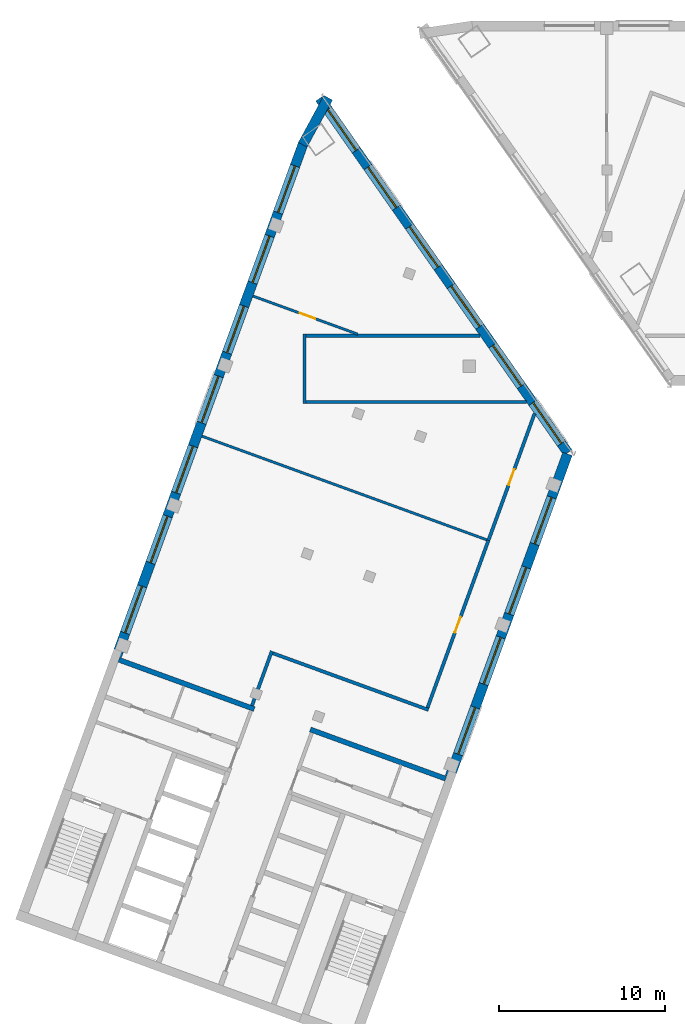
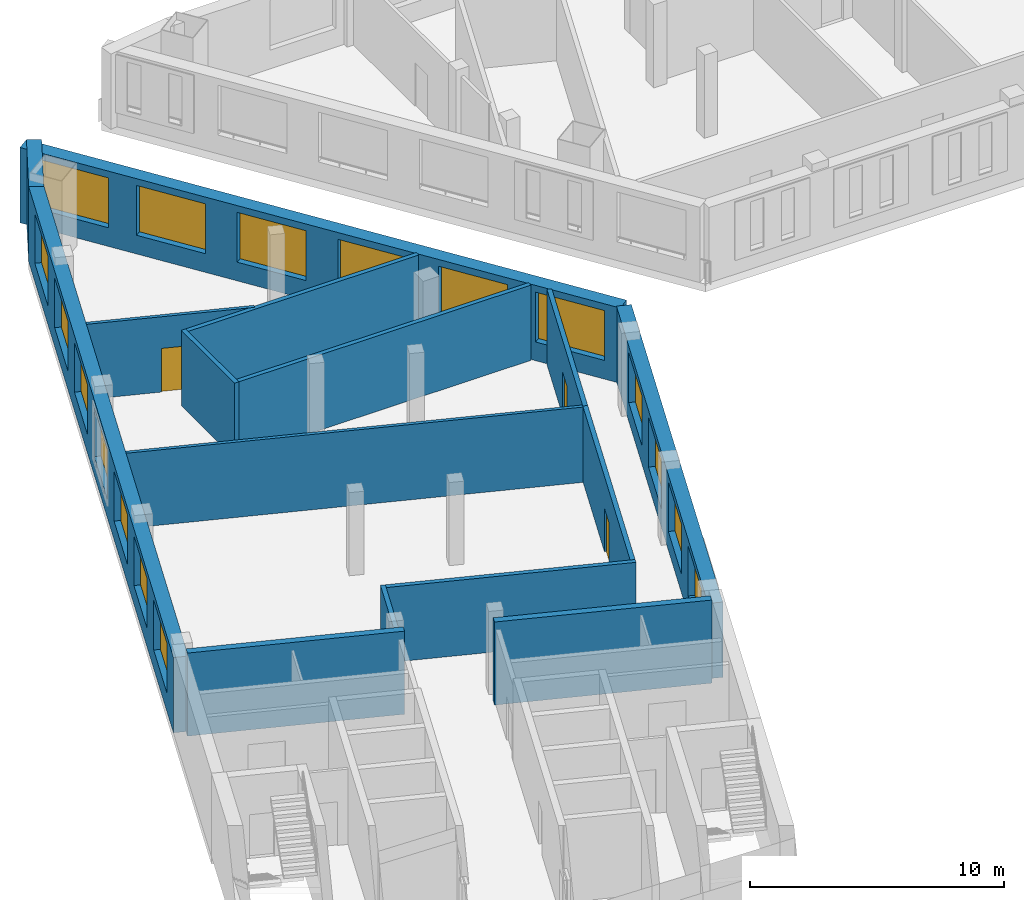
# One storey, part 3 of 8: 17 windows, 15 walls, 3 doors, 20 openings.
"""IFC4 building model written with IfcOpenShell, lengths in metres."""

import ifcopenshell
import ifcopenshell.guid

model = None  # the IFC model being written
_history = None  # IfcOwnerHistory: only IFC2X3 demands one
_inside = {}  # id of a spatial element -> (the spatial element, [elements in it])
_under = {}  # id of a project, library or spatial element -> (it, [spatial elements below it])
_declared = {}  # id of a project -> (the project, [libraries it declares])
_typed = {}  # id of a type object -> (the type object, [elements of that type])
_made_of = {}  # id of a material, layer set ... -> (it, [elements and type objects made of it])


def new_model(schema):
    """Start an empty IFC model of exactly this schema.

    Asked for "IFC4X3", IfcOpenShell would pick the latest addendum, in which some entities
    have other attributes; the version numbers below select the first issue.
    IFC2X3 requires an IfcOwnerHistory on every rooted entity: one is made here for all.
    """
    global model, _history
    if schema == "IFC4X3":
        model = ifcopenshell.file(schema_version=(4, 3, 0, 0))
    else:
        model = ifcopenshell.file(schema=schema)
    _inside.clear()
    _under.clear()
    _declared.clear()
    _typed.clear()
    _made_of.clear()
    _history = None
    if model.schema == "IFC2X3":
        org = make("IfcOrganization", Name="unknown")
        user = make(
            "IfcPersonAndOrganization",
            ThePerson=make("IfcPerson", FamilyName="unknown"),
            TheOrganization=org,
        )
        app = make(
            "IfcApplication",
            ApplicationDeveloper=org,
            Version="unknown",
            ApplicationFullName="unknown",
            ApplicationIdentifier="unknown",
        )
        _history = make(
            "IfcOwnerHistory",
            OwningUser=user,
            OwningApplication=app,
            ChangeAction="ADDED",
            CreationDate=0,
        )
    return model


def make(cls, **values):
    """One entity of the class cls with the attributes given. An attribute that is None is left unset."""
    return model.create_entity(
        cls, **{name: value for name, value in values.items() if value is not None}
    )


def rooted(cls, **values):
    """An entity with a GlobalId (a new one), such as an element, a storey or a relation."""
    return make(cls, GlobalId=ifcopenshell.guid.new(), OwnerHistory=_history, **values)


def si_unit(unit_type, name, prefix=None):
    """IfcSIUnit, for example si_unit("LENGTHUNIT", "METRE", prefix="MILLI")."""
    return make("IfcSIUnit", UnitType=unit_type, Prefix=prefix, Name=name)


def assignment(units):
    """IfcUnitAssignment: the units of a project."""
    return None if units is None else make("IfcUnitAssignment", Units=units)


def point(xyz):
    """IfcCartesianPoint."""
    return None if xyz is None else make("IfcCartesianPoint", Coordinates=xyz)


def direction(xyz):
    """IfcDirection."""
    return None if xyz is None else make("IfcDirection", DirectionRatios=xyz)


def frame(location, z_axis=None, x_axis=None):
    """IfcAxis2Placement3D, a coordinate frame: its origin and axes. An axis left out is left unset."""
    return make(
        "IfcAxis2Placement3D",
        Location=point(location),
        Axis=direction(z_axis),
        RefDirection=direction(x_axis),
    )


def frame_2d(location, x_axis=None):
    """IfcAxis2Placement2D, a coordinate frame in the plane: its origin and x axis."""
    return make(
        "IfcAxis2Placement2D", Location=point(location), RefDirection=direction(x_axis)
    )


def origin():
    """The frame at (0, 0, 0) with its axes left unset."""
    return frame((0.0, 0.0, 0.0))


def place(relative_to, where):
    """IfcLocalPlacement: puts the frame where relative to a parent placement (None: the world)."""
    return make(
        "IfcLocalPlacement", PlacementRelTo=relative_to, RelativePlacement=where
    )


def context(
    kind, dimensions, precision=None, world=None, true_north=None, identifier=None
):
    """IfcGeometricRepresentationContext, for example the 3D "Model" context."""
    return make(
        "IfcGeometricRepresentationContext",
        ContextIdentifier=identifier,
        ContextType=kind,
        CoordinateSpaceDimension=dimensions,
        Precision=precision,
        WorldCoordinateSystem=world,
        TrueNorth=true_north,
    )


def subcontext(parent, identifier, kind, view, scale=None):
    """IfcGeometricRepresentationSubContext, for example "Body" below "Model"."""
    return make(
        "IfcGeometricRepresentationSubContext",
        ContextIdentifier=identifier,
        ContextType=kind,
        ParentContext=parent,
        TargetScale=scale,
        TargetView=view,
    )


def project(units=None, contexts=None):
    """IfcProject with its units and contexts."""
    return rooted(
        "IfcProject",
        Name="project",
        RepresentationContexts=contexts,
        UnitsInContext=assignment(units),
    )


def spatial(cls, under=None, at=None, **own):
    """A site, building, storey or space (cls), placed at a placement, below another one or the project."""
    s = rooted(cls, ObjectPlacement=at, **own)
    if under is not None:
        _under.setdefault(under.id(), (under, []))[1].append(s)
    return s


def profile(cls, at=None, kind="AREA", **sizes):
    """A parametric profile (cls). Its sizes go by their IFC names, for example OverallWidth=200.0."""
    return make(cls, ProfileType=kind, Position=at, **sizes)


def rectangle(**sizes):
    """IfcRectangleProfileDef."""
    return profile("IfcRectangleProfileDef", **sizes)


def extrude(swept, where, along, depth):
    """IfcExtrudedAreaSolid: the profile swept, set in the frame where, extruded along a direction by depth."""
    return make(
        "IfcExtrudedAreaSolid",
        SweptArea=swept,
        Position=where,
        ExtrudedDirection=direction(along),
        Depth=depth,
    )


def shape(context_of_items, identifier, shape_type, items):
    """IfcShapeRepresentation: the items that make up one representation, for example the "Body"."""
    return make(
        "IfcShapeRepresentation",
        ContextOfItems=context_of_items,
        RepresentationIdentifier=identifier,
        RepresentationType=shape_type,
        Items=items,
    )


def material(Name=None, Category=None):
    """IfcMaterial."""
    return make("IfcMaterial", Name=Name, Category=Category)


def layer(
    of_material, thickness, ventilated=None, Name=None, Category=None, Priority=None
):
    """IfcMaterialLayer: one layer of a wall or slab, of a material (None: an air gap)."""
    return make(
        "IfcMaterialLayer",
        Material=of_material,
        LayerThickness=thickness,
        IsVentilated=ventilated,
        Name=Name,
        Category=Category,
        Priority=Priority,
    )


def layer_set(layers, Name=None):
    """IfcMaterialLayerSet."""
    return make("IfcMaterialLayerSet", MaterialLayers=layers, LayerSetName=Name)


def made_of(thing, what):
    """Note that an element or type object is made of a material, layer set ...; save() writes the relation."""
    if what is not None:
        _made_of.setdefault(what.id(), (what, []))[1].append(thing)
    return thing


def type_object(cls, material=None, **own):
    """A type object (cls), such as IfcWallType, which elements share."""
    return made_of(rooted(cls, **own), material)


def element(
    cls,
    number,
    at=None,
    inside=None,
    cuts=None,
    type_object=None,
    material=None,
    context=None,
    identifier="Body",
    shape_type=None,
    held_by="IfcProductDefinitionShape",
    body=None,
    shapes=None,
    **own,
):
    """One element of the class cls, such as IfcWall. Its Tag is "e" and its number.

    at: its placement. inside: the storey or other place that contains it. cuts: it is an
    opening in that element (IfcRelVoidsElement). A single representation is given by context,
    identifier, shape_type and body (its items); several are given by shapes. held_by: the class
    of the entity that holds the representations. save() writes the other relations.
    """
    e = rooted(cls, Tag="e%d" % number, ObjectPlacement=at, **own)
    if body is not None:
        shapes = [shape(context, identifier, shape_type, body)]
    if shapes is not None:
        e.Representation = make(held_by, Representations=shapes)
    if inside is not None:
        _inside.setdefault(inside.id(), (inside, []))[1].append(e)
    if cuts is not None:
        rooted(
            "IfcRelVoidsElement", RelatingBuildingElement=cuts, RelatedOpeningElement=e
        )
    if type_object is not None:
        _typed.setdefault(type_object.id(), (type_object, []))[1].append(e)
    return made_of(e, material)


def fill(opening, filler):
    """IfcRelFillsElement: the door or window that sits in an opening."""
    return rooted(
        "IfcRelFillsElement",
        RelatingOpeningElement=opening,
        RelatedBuildingElement=filler,
    )


def aggregate(whole, parts):
    """IfcRelAggregates: a whole, such as a stair, and the parts it consists of."""
    return rooted("IfcRelAggregates", RelatingObject=whole, RelatedObjects=parts)


def save(model, path):
    """Write the relations noted so far, then the file.

    IfcRelAggregates (storeys below a building ...), IfcRelContainedInSpatialStructure (elements
    in a storey), IfcRelDefinesByType, IfcRelAssociatesMaterial and IfcRelDeclares: one each for
    every whole, place, type object, material and project.
    """
    for whole, parts in _under.values():
        aggregate(whole, parts)
    for where, things in _inside.values():
        rooted(
            "IfcRelContainedInSpatialStructure",
            RelatedElements=things,
            RelatingStructure=where,
        )
    for kind, things in _typed.values():
        rooted("IfcRelDefinesByType", RelatedObjects=things, RelatingType=kind)
    for what, things in _made_of.values():
        rooted("IfcRelAssociatesMaterial", RelatedObjects=things, RelatingMaterial=what)
    for by, libraries in _declared.values():
        rooted("IfcRelDeclares", RelatingContext=by, RelatedDefinitions=libraries)
    model.write(path)


model = new_model("IFC4")

# Units and contexts
model_context = context("Model", 3, precision=1e-05, world=origin(), true_north=direction((0.0, 1.0)))
body_context = subcontext(model_context, "Body", "Model", "MODEL_VIEW")
ifc_project = project(units=[si_unit("LENGTHUNIT", "METRE"), si_unit("AREAUNIT", "SQUARE_METRE"), si_unit("VOLUMEUNIT", "CUBIC_METRE"), si_unit("PLANEANGLEUNIT", "RADIAN"), si_unit("MASSUNIT", "GRAM", prefix="KILO")], contexts=[model_context])

# Site, building, storey
site_placement = place(None, origin())
site = spatial("IfcSite", under=ifc_project, at=site_placement, CompositionType="ELEMENT")
building_placement = place(site_placement, origin())
building = spatial("IfcBuilding", under=site, at=building_placement, Name="Skarvind Civic Tower", CompositionType="ELEMENT")
storey_placement = place(building_placement, frame((0.0, 0.0, 216.0)))
storey = spatial("IfcBuildingStorey", under=building, at=storey_placement, Name="L51", CompositionType="ELEMENT", Elevation=216.0)

# Walls
ifc_material_1 = material(Name="Concrete C60", Category="concrete")
ifc_layer_1 = layer(ifc_material_1, 0.300048828125)
ifc_layer_set_1 = layer_set([ifc_layer_1], Name="Core wall 300 C60")
wall_type_1 = type_object("IfcWallType", Name="Core wall 300 C60", PredefinedType="SHEAR", material=ifc_layer_set_1)
wall_1_placement = place(storey_placement, frame((44.52880859375, 93.258056640625, 0.0), z_axis=(0.0, 0.0, 1.0), x_axis=(-0.9396917844, 0.342022441267, 0.0)))
element("IfcWall", 1, at=wall_1_placement, inside=storey, type_object=wall_type_1, Name="Core wall C2 south inner face L51", PredefinedType="SHEAR", context=body_context, shape_type="SweptSolid", body=[
    extrude(rectangle(XDim=8.699951171875, YDim=0.300048828125, at=frame_2d((4.35009765625, 0.0))), origin(), (0.0, 0.0, 1.0), 4.0),
])
wall_2_placement = place(storey_placement, frame((32.970703125, 97.46484375, 0.0), z_axis=(0.0, 0.0, 1.0), x_axis=(-0.939695066972, 0.34201342241, 0.0)))
element("IfcWall", 2, at=wall_2_placement, inside=storey, type_object=wall_type_1, Name="Core wall C2 north inner face L51", PredefinedType="SHEAR", context=body_context, shape_type="SweptSolid", body=[
    extrude(rectangle(XDim=8.7001953125, YDim=0.300048828125, at=frame_2d((4.35009765625, 0.0))), origin(), (0.0, 0.0, 1.0), 4.0),
])
ifc_material_2 = material(Name="Fire-rated blockwork wall, plastered", Category="masonry")
ifc_layer_2 = layer(ifc_material_2, 0.199951171875)
ifc_layer_set_2 = layer_set([ifc_layer_2], Name="FIRE WALL 200 EI 60")
wall_type_2 = type_object("IfcWallType", Name="FIRE WALL 200 EI 60", PredefinedType="PARTITIONING", material=ifc_layer_set_2)
wall_3_placement = place(storey_placement, frame((32.833984375, 97.674072265625, 0.0), z_axis=(0.0, 0.0, 1.0), x_axis=(0.342017493073, 0.939693585395, 0.0)))
element("IfcWall", 3, at=wall_3_placement, inside=storey, type_object=wall_type_2, Name="Portal partition L51 002", PredefinedType="PARTITIONING", context=body_context, shape_type="SweptSolid", body=[
    extrude(rectangle(XDim=3.5, YDim=0.199951171875, at=frame_2d((1.75, 0.0))), origin(), (0.0, 0.0, 1.0), 3.625),
])
wall_4_placement = place(storey_placement, frame((34.091064453125, 100.8349609375, 0.0), z_axis=(0.0, 0.0, 1.0), x_axis=(0.939702148643, -0.341993964619, 0.0)))
element("IfcWall", 4, at=wall_4_placement, inside=storey, type_object=wall_type_2, Name="Portal partition L51 004", PredefinedType="PARTITIONING", context=body_context, shape_type="SweptSolid", body=[
    extrude(rectangle(XDim=10.0, YDim=0.199951171875, at=frame_2d((5.0, 0.0))), origin(), (0.0, 0.0, 1.0), 3.625),
])
wall_5_placement = place(storey_placement, frame((36.0, 115.89990234375, 0.0), z_axis=(0.0, 0.0, 1.0), x_axis=(0.0, 1.0, 0.0)))
element("IfcWall", 5, at=wall_5_placement, inside=storey, type_object=wall_type_2, Name="Portal partition L51 005", PredefinedType="PARTITIONING", context=body_context, shape_type="SweptSolid", body=[
    extrude(rectangle(XDim=4.2001953125, YDim=0.199951171875, at=frame_2d((2.10009765625, 0.0))), origin(), (0.0, 0.0, 1.0), 3.625),
])
wall_6_placement = place(storey_placement, frame((36.10009765625, 116.0, 0.0), z_axis=(0.0, 0.0, 1.0), x_axis=(1.0, 0.0, 0.0)))
element("IfcWall", 6, at=wall_6_placement, inside=storey, type_object=wall_type_2, Name="Portal partition L51 006", PredefinedType="PARTITIONING", context=body_context, shape_type="SweptSolid", body=[
    extrude(rectangle(XDim=13.296875, YDim=0.199951171875, at=frame_2d((6.6484375, 0.0))), origin(), (0.0, 0.0, 1.0), 3.625),
])
wall_7_placement = place(storey_placement, frame((36.10009765625, 120.0, 0.0), z_axis=(0.0, 0.0, 1.0), x_axis=(1.0, 0.0, 0.0)))
element("IfcWall", 7, at=wall_7_placement, inside=storey, type_object=wall_type_2, Name="Portal partition L51 007", PredefinedType="PARTITIONING", context=body_context, shape_type="SweptSolid", body=[
    extrude(rectangle(XDim=10.495849609375, YDim=0.199951171875, at=frame_2d((5.248046875, 0.0))), origin(), (0.0, 0.0, 1.0), 3.625),
])

# Wall, opening, door
wall_8_placement = place(storey_placement, frame((43.427978515625, 97.54296875, 0.0), z_axis=(0.0, 0.0, 1.0), x_axis=(0.342032970316, 0.939687952044, 0.0)))
wall_8 = element("IfcWall", 8, at=wall_8_placement, inside=storey, type_object=wall_type_2, Name="Portal partition L51 008", PredefinedType="PARTITIONING", context=body_context, shape_type="SweptSolid", body=[
    extrude(rectangle(XDim=10.75048828125, YDim=0.199951171875, at=frame_2d((5.375244140625, 0.0))), origin(), (0.0, 0.0, 1.0), 3.625),
])
opening_1_placement = place(wall_8_placement, frame((4.826904296875, 0.0, 0.0)))
opening_1 = element("IfcOpeningElement", 9, at=opening_1_placement, cuts=wall_8, Name="Opening L51-D202", PredefinedType="OPENING", context=body_context, shape_type="SweptSolid", body=[
    extrude(rectangle(XDim=1.0, YDim=2.10009765625, at=frame_2d((0.5, 1.050048828125))), frame((0.0, 0.10986328125, 0.0), z_axis=(0.0, -1.0, 0.0), x_axis=(1.0, 0.0, 0.0)), (0.0, 0.0, 1.0), 0.219970703125),
])
ifc_material_3 = material(Name="Painted steel fire door leaf", Category="steel")
door_type_1 = type_object("IfcDoorType", Name="FIRE DOOR 1000X2100 STEEL", OperationType="NOTDEFINED", PredefinedType="DOOR", material=ifc_material_3)
door_1_placement = place(opening_1_placement, origin())
door_1 = element("IfcDoor", 10, at=door_1_placement, inside=storey, type_object=door_type_1, Name="FIRE DOOR", OperationType="SINGLE_SWING_RIGHT", OverallHeight=2.10009765625, OverallWidth=1.0, PredefinedType="DOOR", context=body_context, shape_type="SweptSolid", body=[
    extrude(rectangle(XDim=1.0, YDim=2.10009765625, at=frame_2d((0.5, 1.050048828125))), frame((0.0, 0.02490234375, 0.0), z_axis=(0.0, -1.0, 0.0), x_axis=(1.0, 0.0, 0.0)), (0.0, 0.0, 1.0), 0.050048828125),
])
fill(opening_1, door_1)

wall_9_placement = place(storey_placement, frame((47.10498046875, 107.64501953125, 0.0), z_axis=(0.0, 0.0, 1.0), x_axis=(0.342043994394, 0.939683939364, 0.0)))
wall_9 = element("IfcWall", 11, at=wall_9_placement, inside=storey, type_object=wall_type_2, Name="Portal partition L51 009", PredefinedType="PARTITIONING", context=body_context, shape_type="SweptSolid", body=[
    extrude(rectangle(XDim=8.14208984375, YDim=0.199951171875, at=frame_2d((4.071044921875, 0.0))), origin(), (0.0, 0.0, 1.0), 3.625),
])
opening_2_placement = place(wall_9_placement, frame((3.569091796875, 0.0, 0.0)))
opening_2 = element("IfcOpeningElement", 12, at=opening_2_placement, cuts=wall_9, Name="Opening L51-D203", PredefinedType="OPENING", context=body_context, shape_type="SweptSolid", body=[
    extrude(rectangle(XDim=1.0, YDim=2.10009765625, at=frame_2d((0.5, 1.050048828125))), frame((0.0, 0.10986328125, 0.0), z_axis=(0.0, -1.0, 0.0), x_axis=(1.0, 0.0, 0.0)), (0.0, 0.0, 1.0), 0.219970703125),
])
door_2_placement = place(opening_2_placement, origin())
door_2 = element("IfcDoor", 13, at=door_2_placement, inside=storey, type_object=door_type_1, Name="FIRE DOOR", OperationType="SINGLE_SWING_LEFT", OverallHeight=2.10009765625, OverallWidth=1.0, PredefinedType="DOOR", context=body_context, shape_type="SweptSolid", body=[
    extrude(rectangle(XDim=1.0, YDim=2.10009765625, at=frame_2d((0.5, 1.050048828125))), frame((0.0, 0.02490234375, 0.0), z_axis=(0.0, -1.0, 0.0), x_axis=(1.0, 0.0, 0.0)), (0.0, 0.0, 1.0), 0.050048828125),
])
fill(opening_2, door_2)

# Wall
ifc_material_4 = material(Name="Plasterboard partition on steel studs", Category="steel")
ifc_layer_3 = layer(ifc_material_4, 0.14990234375)
ifc_layer_set_3 = layer_set([ifc_layer_3], Name="PARTITION 150")
wall_type_3 = type_object("IfcWallType", Name="PARTITION 150", PredefinedType="PARTITIONING", material=ifc_layer_set_3)
wall_10_placement = place(storey_placement, frame((29.81396484375, 113.93798828125, 0.0), z_axis=(0.0, 0.0, 1.0), x_axis=(0.939695619185, -0.342011905181, 0.0)))
element("IfcWall", 14, at=wall_10_placement, inside=storey, type_object=wall_type_3, Name="Portal partition L51 001", PredefinedType="PARTITIONING", context=body_context, shape_type="SweptSolid", body=[
    extrude(rectangle(XDim=18.300537109375, YDim=0.14990234375, at=frame_2d((9.150390625, 0.0))), origin(), (0.0, 0.0, 1.0), 3.625),
])

# Wall, opening, door
wall_11_placement = place(storey_placement, frame((39.222900390625, 120.091064453125, 0.0), z_axis=(0.0, 0.0, 1.0), x_axis=(-0.939705573142, 0.341984554924, 0.0)))
wall_11 = element("IfcWall", 15, at=wall_11_placement, inside=storey, type_object=wall_type_3, Name="Portal partition L51 003", PredefinedType="PARTITIONING", context=body_context, shape_type="SweptSolid", body=[
    extrude(rectangle(XDim=6.737060546875, YDim=0.14990234375, at=frame_2d((3.36865234375, 0.0))), origin(), (0.0, 0.0, 1.0), 3.625),
])
opening_3_placement = place(wall_11_placement, frame((2.735107421875, 0.0, 0.0)))
opening_3 = element("IfcOpeningElement", 16, at=opening_3_placement, cuts=wall_11, Name="Opening L51-D201", PredefinedType="OPENING", context=body_context, shape_type="SweptSolid", body=[
    extrude(rectangle(XDim=1.0, YDim=2.10009765625, at=frame_2d((0.5, 1.050048828125))), frame((0.0, 0.0849609375, 0.0), z_axis=(0.0, -1.0, 0.0), x_axis=(1.0, 0.0, 0.0)), (0.0, 0.0, 1.0), 0.169921875),
])
ifc_material_5 = material(Name="Timber veneer door leaf", Category="wood")
door_type_2 = type_object("IfcDoorType", Name="DOOR 1000X2100 TIMBER", OperationType="NOTDEFINED", PredefinedType="DOOR", material=ifc_material_5)
door_3_placement = place(opening_3_placement, origin())
door_3 = element("IfcDoor", 17, at=door_3_placement, inside=storey, type_object=door_type_2, Name="DOOR DOOR", OperationType="SINGLE_SWING_RIGHT", OverallHeight=2.10009765625, OverallWidth=1.0, PredefinedType="DOOR", context=body_context, shape_type="SweptSolid", body=[
    extrude(rectangle(XDim=1.0, YDim=2.10009765625, at=frame_2d((0.5, 1.050048828125))), frame((0.0, 0.02490234375, 0.0), z_axis=(0.0, -1.0, 0.0), x_axis=(1.0, 0.0, 0.0)), (0.0, 0.0, 1.0), 0.050048828125),
])
fill(opening_3, door_3)

# Wall, openings, windows
ifc_material_6 = material(Name="Limestone masonry cladding on insulated backing", Category="masonry")
ifc_layer_4 = layer(ifc_material_6, 0.60009765625)
ifc_layer_set_4 = layer_set([ifc_layer_4], Name="WX1 STONE FACADE WALL 600")
wall_type_4 = type_object("IfcWallType", Name="WX1 STONE FACADE WALL 600", PredefinedType="SOLIDWALL", material=ifc_layer_set_4)
wall_12_placement = place(storey_placement, frame((51.876953125, 112.862060546875, 0.0), z_axis=(0.0, 0.0, 1.0), x_axis=(-0.342020589714, -0.939692458314, 0.0)))
wall_12 = element("IfcWall", 18, at=wall_12_placement, inside=storey, type_object=wall_type_4, Name="STONE FACADE WALL", PredefinedType="SOLIDWALL", context=body_context, shape_type="SweptSolid", body=[
    extrude(rectangle(XDim=20.764892578125, YDim=0.60009765625, at=frame_2d((10.38232421875, 0.0))), origin(), (0.0, 0.0, 1.0), 3.625),
])
opening_4_placement = place(wall_12_placement, frame((2.784912109375, 0.0, 0.89990234375)))
opening_4 = element("IfcOpeningElement", 19, at=opening_4_placement, cuts=wall_12, Name="Opening WN1", PredefinedType="OPENING", context=body_context, shape_type="SweptSolid", body=[
    extrude(rectangle(XDim=3.0, YDim=2.39990234375, at=frame_2d((1.5, 1.199951171875))), frame((0.0, 0.31005859375, 0.0), z_axis=(0.0, -1.0, 0.0), x_axis=(1.0, 0.0, 0.0)), (0.0, 0.0, 1.0), 0.6201171875),
])
opening_5_placement = place(wall_12_placement, frame((7.284912109375, 0.0, 0.89990234375)))
opening_5 = element("IfcOpeningElement", 20, at=opening_5_placement, cuts=wall_12, Name="Opening WN1", PredefinedType="OPENING", context=body_context, shape_type="SweptSolid", body=[
    extrude(rectangle(XDim=3.0, YDim=2.39990234375, at=frame_2d((1.5, 1.199951171875))), frame((0.0, 0.31005859375, 0.0), z_axis=(0.0, -1.0, 0.0), x_axis=(1.0, 0.0, 0.0)), (0.0, 0.0, 1.0), 0.6201171875),
])
opening_6_placement = place(wall_12_placement, frame((11.784912109375, 0.0, 0.89990234375)))
opening_6 = element("IfcOpeningElement", 21, at=opening_6_placement, cuts=wall_12, Name="Opening WN1", PredefinedType="OPENING", context=body_context, shape_type="SweptSolid", body=[
    extrude(rectangle(XDim=3.0, YDim=2.39990234375, at=frame_2d((1.5, 1.199951171875))), frame((0.0, 0.31005859375, 0.0), z_axis=(0.0, -1.0, 0.0), x_axis=(1.0, 0.0, 0.0)), (0.0, 0.0, 1.0), 0.6201171875),
])
opening_7_placement = place(wall_12_placement, frame((16.284912109375, 0.0, 0.89990234375)))
opening_7 = element("IfcOpeningElement", 22, at=opening_7_placement, cuts=wall_12, Name="Opening WN1", PredefinedType="OPENING", context=body_context, shape_type="SweptSolid", body=[
    extrude(rectangle(XDim=3.0, YDim=2.39990234375, at=frame_2d((1.5, 1.199951171875))), frame((0.0, 0.31005859375, 0.0), z_axis=(0.0, -1.0, 0.0), x_axis=(1.0, 0.0, 0.0)), (0.0, 0.0, 1.0), 0.6201171875),
])
ifc_material_7 = material(Name="Timber frame, double glazing, timber-lined reveal", Category="wood")
window_type = type_object("IfcWindowType", Name="WN1 PUNCHED STONE WINDOW 3000 x 2400", PartitioningType="SINGLE_PANEL", PredefinedType="WINDOW", material=ifc_material_7)
window_1_placement = place(opening_4_placement, origin())
window_1 = element("IfcWindow", 23, at=window_1_placement, inside=storey, type_object=window_type, Name="WN1 WINDOW", OverallHeight=2.39990234375, OverallWidth=3.0, PartitioningType="SINGLE_PANEL", PredefinedType="WINDOW", context=body_context, shape_type="SweptSolid", body=[
    extrude(rectangle(XDim=3.0, YDim=2.39990234375, at=frame_2d((1.5, 1.199951171875))), frame((0.0, 0.030029296875, 0.0), z_axis=(0.0, -1.0, 0.0), x_axis=(1.0, 0.0, 0.0)), (0.0, 0.0, 1.0), 0.06005859375),
])
fill(opening_4, window_1)
window_2_placement = place(opening_5_placement, origin())
window_2 = element("IfcWindow", 24, at=window_2_placement, inside=storey, type_object=window_type, Name="WN1 WINDOW", OverallHeight=2.39990234375, OverallWidth=3.0, PartitioningType="SINGLE_PANEL", PredefinedType="WINDOW", context=body_context, shape_type="SweptSolid", body=[
    extrude(rectangle(XDim=3.0, YDim=2.39990234375, at=frame_2d((1.5, 1.199951171875))), frame((0.0, 0.030029296875, 0.0), z_axis=(0.0, -1.0, 0.0), x_axis=(1.0, 0.0, 0.0)), (0.0, 0.0, 1.0), 0.06005859375),
])
fill(opening_5, window_2)
window_3_placement = place(opening_6_placement, origin())
window_3 = element("IfcWindow", 25, at=window_3_placement, inside=storey, type_object=window_type, Name="WN1 WINDOW", OverallHeight=2.39990234375, OverallWidth=3.0, PartitioningType="SINGLE_PANEL", PredefinedType="WINDOW", context=body_context, shape_type="SweptSolid", body=[
    extrude(rectangle(XDim=3.0, YDim=2.39990234375, at=frame_2d((1.5, 1.199951171875))), frame((0.0, 0.030029296875, 0.0), z_axis=(0.0, -1.0, 0.0), x_axis=(1.0, 0.0, 0.0)), (0.0, 0.0, 1.0), 0.06005859375),
])
fill(opening_6, window_3)
window_4_placement = place(opening_7_placement, origin())
window_4 = element("IfcWindow", 26, at=window_4_placement, inside=storey, type_object=window_type, Name="WN1 WINDOW", OverallHeight=2.39990234375, OverallWidth=3.0, PartitioningType="SINGLE_PANEL", PredefinedType="WINDOW", context=body_context, shape_type="SweptSolid", body=[
    extrude(rectangle(XDim=3.0, YDim=2.39990234375, at=frame_2d((1.5, 1.199951171875))), frame((0.0, 0.030029296875, 0.0), z_axis=(0.0, -1.0, 0.0), x_axis=(1.0, 0.0, 0.0)), (0.0, 0.0, 1.0), 0.06005859375),
])
fill(opening_7, window_4)

wall_13_placement = place(storey_placement, frame((36.923095703125, 134.338134765625, 0.0), z_axis=(0.0, 0.0, 1.0), x_axis=(0.573575266068, -0.819152863729, 0.0)))
wall_13 = element("IfcWall", 27, at=wall_13_placement, inside=storey, type_object=wall_type_4, Name="STONE FACADE WALL", PredefinedType="SOLIDWALL", context=body_context, shape_type="SweptSolid", body=[
    extrude(rectangle(XDim=26.1171875, YDim=0.60009765625, at=frame_2d((13.05859375, 0.0))), origin(), (0.0, 0.0, 1.0), 3.625),
])
opening_8_placement = place(wall_13_placement, frame((0.83984375, 0.0, 0.89990234375)))
opening_8 = element("IfcOpeningElement", 28, at=opening_8_placement, cuts=wall_13, Name="Opening WN1", PredefinedType="OPENING", context=body_context, shape_type="SweptSolid", body=[
    extrude(rectangle(XDim=3.0, YDim=2.39990234375, at=frame_2d((1.5, 1.199951171875))), frame((0.0, 0.31005859375, 0.0), z_axis=(0.0, -1.0, 0.0), x_axis=(1.0, 0.0, 0.0)), (0.0, 0.0, 1.0), 0.6201171875),
])
opening_9_placement = place(wall_13_placement, frame((5.0693359375, 0.0, 0.89990234375)))
opening_9 = element("IfcOpeningElement", 29, at=opening_9_placement, cuts=wall_13, Name="Opening WN1", PredefinedType="OPENING", context=body_context, shape_type="SweptSolid", body=[
    extrude(rectangle(XDim=3.0, YDim=2.39990234375, at=frame_2d((1.5, 1.199951171875))), frame((0.0, 0.31005859375, 0.0), z_axis=(0.0, -1.0, 0.0), x_axis=(1.0, 0.0, 0.0)), (0.0, 0.0, 1.0), 0.6201171875),
])
opening_10_placement = place(wall_13_placement, frame((9.448974609375, 0.0, 0.89990234375)))
opening_10 = element("IfcOpeningElement", 30, at=opening_10_placement, cuts=wall_13, Name="Opening WN1", PredefinedType="OPENING", context=body_context, shape_type="SweptSolid", body=[
    extrude(rectangle(XDim=3.0, YDim=2.39990234375, at=frame_2d((1.5, 1.199951171875))), frame((0.0, 0.31005859375, 0.0), z_axis=(0.0, -1.0, 0.0), x_axis=(1.0, 0.0, 0.0)), (0.0, 0.0, 1.0), 0.6201171875),
])
opening_11_placement = place(wall_13_placement, frame((13.82861328125, 0.0, 0.89990234375)))
opening_11 = element("IfcOpeningElement", 31, at=opening_11_placement, cuts=wall_13, Name="Opening WN1", PredefinedType="OPENING", context=body_context, shape_type="SweptSolid", body=[
    extrude(rectangle(XDim=3.0, YDim=2.39990234375, at=frame_2d((1.5, 1.199951171875))), frame((0.0, 0.31005859375, 0.0), z_axis=(0.0, -1.0, 0.0), x_axis=(1.0, 0.0, 0.0)), (0.0, 0.0, 1.0), 0.6201171875),
])
opening_12_placement = place(wall_13_placement, frame((18.2080078125, 0.0, 0.89990234375)))
opening_12 = element("IfcOpeningElement", 32, at=opening_12_placement, cuts=wall_13, Name="Opening WN1", PredefinedType="OPENING", context=body_context, shape_type="SweptSolid", body=[
    extrude(rectangle(XDim=3.0, YDim=2.39990234375, at=frame_2d((1.5, 1.199951171875))), frame((0.0, 0.31005859375, 0.0), z_axis=(0.0, -1.0, 0.0), x_axis=(1.0, 0.0, 0.0)), (0.0, 0.0, 1.0), 0.6201171875),
])
opening_13_placement = place(wall_13_placement, frame((22.4375, 0.0, 0.89990234375)))
opening_13 = element("IfcOpeningElement", 33, at=opening_13_placement, cuts=wall_13, Name="Opening WN1", PredefinedType="OPENING", context=body_context, shape_type="SweptSolid", body=[
    extrude(rectangle(XDim=3.0, YDim=2.39990234375, at=frame_2d((1.5, 1.199951171875))), frame((0.0, 0.31005859375, 0.0), z_axis=(0.0, -1.0, 0.0), x_axis=(1.0, 0.0, 0.0)), (0.0, 0.0, 1.0), 0.6201171875),
])
window_5_placement = place(opening_8_placement, origin())
window_5 = element("IfcWindow", 34, at=window_5_placement, inside=storey, type_object=window_type, Name="WN1 WINDOW", OverallHeight=2.39990234375, OverallWidth=3.0, PartitioningType="SINGLE_PANEL", PredefinedType="WINDOW", context=body_context, shape_type="SweptSolid", body=[
    extrude(rectangle(XDim=3.0, YDim=2.39990234375, at=frame_2d((1.5, 1.199951171875))), frame((0.0, 0.030029296875, 0.0), z_axis=(0.0, -1.0, 0.0), x_axis=(1.0, 0.0, 0.0)), (0.0, 0.0, 1.0), 0.06005859375),
])
fill(opening_8, window_5)
window_6_placement = place(opening_9_placement, origin())
window_6 = element("IfcWindow", 35, at=window_6_placement, inside=storey, type_object=window_type, Name="WN1 WINDOW", OverallHeight=2.39990234375, OverallWidth=3.0, PartitioningType="SINGLE_PANEL", PredefinedType="WINDOW", context=body_context, shape_type="SweptSolid", body=[
    extrude(rectangle(XDim=3.0, YDim=2.39990234375, at=frame_2d((1.5, 1.199951171875))), frame((0.0, 0.030029296875, 0.0), z_axis=(0.0, -1.0, 0.0), x_axis=(1.0, 0.0, 0.0)), (0.0, 0.0, 1.0), 0.06005859375),
])
fill(opening_9, window_6)
window_7_placement = place(opening_10_placement, origin())
window_7 = element("IfcWindow", 36, at=window_7_placement, inside=storey, type_object=window_type, Name="WN1 WINDOW", OverallHeight=2.39990234375, OverallWidth=3.0, PartitioningType="SINGLE_PANEL", PredefinedType="WINDOW", context=body_context, shape_type="SweptSolid", body=[
    extrude(rectangle(XDim=3.0, YDim=2.39990234375, at=frame_2d((1.5, 1.199951171875))), frame((0.0, 0.030029296875, 0.0), z_axis=(0.0, -1.0, 0.0), x_axis=(1.0, 0.0, 0.0)), (0.0, 0.0, 1.0), 0.06005859375),
])
fill(opening_10, window_7)
window_8_placement = place(opening_11_placement, origin())
window_8 = element("IfcWindow", 37, at=window_8_placement, inside=storey, type_object=window_type, Name="WN1 WINDOW", OverallHeight=2.39990234375, OverallWidth=3.0, PartitioningType="SINGLE_PANEL", PredefinedType="WINDOW", context=body_context, shape_type="SweptSolid", body=[
    extrude(rectangle(XDim=3.0, YDim=2.39990234375, at=frame_2d((1.5, 1.199951171875))), frame((0.0, 0.030029296875, 0.0), z_axis=(0.0, -1.0, 0.0), x_axis=(1.0, 0.0, 0.0)), (0.0, 0.0, 1.0), 0.06005859375),
])
fill(opening_11, window_8)
window_9_placement = place(opening_12_placement, origin())
window_9 = element("IfcWindow", 38, at=window_9_placement, inside=storey, type_object=window_type, Name="WN1 WINDOW", OverallHeight=2.39990234375, OverallWidth=3.0, PartitioningType="SINGLE_PANEL", PredefinedType="WINDOW", context=body_context, shape_type="SweptSolid", body=[
    extrude(rectangle(XDim=3.0, YDim=2.39990234375, at=frame_2d((1.5, 1.199951171875))), frame((0.0, 0.030029296875, 0.0), z_axis=(0.0, -1.0, 0.0), x_axis=(1.0, 0.0, 0.0)), (0.0, 0.0, 1.0), 0.06005859375),
])
fill(opening_12, window_9)
window_10_placement = place(opening_13_placement, origin())
window_10 = element("IfcWindow", 39, at=window_10_placement, inside=storey, type_object=window_type, Name="WN1 WINDOW", OverallHeight=2.39990234375, OverallWidth=3.0, PartitioningType="SINGLE_PANEL", PredefinedType="WINDOW", context=body_context, shape_type="SweptSolid", body=[
    extrude(rectangle(XDim=3.0, YDim=2.39990234375, at=frame_2d((1.5, 1.199951171875))), frame((0.0, 0.030029296875, 0.0), z_axis=(0.0, -1.0, 0.0), x_axis=(1.0, 0.0, 0.0)), (0.0, 0.0, 1.0), 0.06005859375),
])
fill(opening_13, window_10)

# Wall
wall_14_placement = place(storey_placement, frame((35.89453125, 131.529541015625, 0.0), z_axis=(0.0, 0.0, 1.0), x_axis=(0.476529237666, 0.879158623713, 0.0)))
element("IfcWall", 40, at=wall_14_placement, inside=storey, type_object=wall_type_4, Name="STONE FACADE WALL", PredefinedType="SOLIDWALL", context=body_context, shape_type="SweptSolid", body=[
    extrude(rectangle(XDim=3.227783203125, YDim=0.60009765625, at=frame_2d((1.61376953125, 0.0))), origin(), (0.0, 0.0, 1.0), 3.625),
])

# Wall, openings, windows
wall_15_placement = place(storey_placement, frame((24.66552734375, 100.668701171875, 0.0), z_axis=(0.0, 0.0, 1.0), x_axis=(0.34201964167, 0.939692803373, 0.0)))
wall_15 = element("IfcWall", 41, at=wall_15_placement, inside=storey, type_object=wall_type_4, Name="STONE FACADE WALL", PredefinedType="SOLIDWALL", context=body_context, shape_type="SweptSolid", body=[
    extrude(rectangle(XDim=32.88427734375, YDim=0.60009765625, at=frame_2d((16.442138671875, 0.0))), origin(), (0.0, 0.0, 1.0), 3.625),
])
opening_14_placement = place(wall_15_placement, frame((1.47998046875, 0.0, 0.89990234375)))
opening_14 = element("IfcOpeningElement", 42, at=opening_14_placement, cuts=wall_15, Name="Opening WN1", PredefinedType="OPENING", context=body_context, shape_type="SweptSolid", body=[
    extrude(rectangle(XDim=3.0, YDim=2.39990234375, at=frame_2d((1.5, 1.199951171875))), frame((0.0, 0.31005859375, 0.0), z_axis=(0.0, -1.0, 0.0), x_axis=(1.0, 0.0, 0.0)), (0.0, 0.0, 1.0), 0.6201171875),
])
opening_15_placement = place(wall_15_placement, frame((5.97998046875, 0.0, 0.89990234375)))
opening_15 = element("IfcOpeningElement", 43, at=opening_15_placement, cuts=wall_15, Name="Opening WN1", PredefinedType="OPENING", context=body_context, shape_type="SweptSolid", body=[
    extrude(rectangle(XDim=3.0, YDim=2.39990234375, at=frame_2d((1.5, 1.199951171875))), frame((0.0, 0.31005859375, 0.0), z_axis=(0.0, -1.0, 0.0), x_axis=(1.0, 0.0, 0.0)), (0.0, 0.0, 1.0), 0.6201171875),
])
opening_16_placement = place(wall_15_placement, frame((10.47998046875, 0.0, 0.89990234375)))
opening_16 = element("IfcOpeningElement", 44, at=opening_16_placement, cuts=wall_15, Name="Opening WN1", PredefinedType="OPENING", context=body_context, shape_type="SweptSolid", body=[
    extrude(rectangle(XDim=3.0, YDim=2.39990234375, at=frame_2d((1.5, 1.199951171875))), frame((0.0, 0.31005859375, 0.0), z_axis=(0.0, -1.0, 0.0), x_axis=(1.0, 0.0, 0.0)), (0.0, 0.0, 1.0), 0.6201171875),
])
opening_17_placement = place(wall_15_placement, frame((14.97998046875, 0.0, 0.89990234375)))
opening_17 = element("IfcOpeningElement", 45, at=opening_17_placement, cuts=wall_15, Name="Opening WN1", PredefinedType="OPENING", context=body_context, shape_type="SweptSolid", body=[
    extrude(rectangle(XDim=3.0, YDim=2.39990234375, at=frame_2d((1.5, 1.199951171875))), frame((0.0, 0.31005859375, 0.0), z_axis=(0.0, -1.0, 0.0), x_axis=(1.0, 0.0, 0.0)), (0.0, 0.0, 1.0), 0.6201171875),
])
opening_18_placement = place(wall_15_placement, frame((19.47998046875, 0.0, 0.89990234375)))
opening_18 = element("IfcOpeningElement", 46, at=opening_18_placement, cuts=wall_15, Name="Opening WN1", PredefinedType="OPENING", context=body_context, shape_type="SweptSolid", body=[
    extrude(rectangle(XDim=3.0, YDim=2.39990234375, at=frame_2d((1.5, 1.199951171875))), frame((0.0, 0.31005859375, 0.0), z_axis=(0.0, -1.0, 0.0), x_axis=(1.0, 0.0, 0.0)), (0.0, 0.0, 1.0), 0.6201171875),
])
opening_19_placement = place(wall_15_placement, frame((23.97998046875, 0.0, 0.89990234375)))
opening_19 = element("IfcOpeningElement", 47, at=opening_19_placement, cuts=wall_15, Name="Opening WN1", PredefinedType="OPENING", context=body_context, shape_type="SweptSolid", body=[
    extrude(rectangle(XDim=3.0, YDim=2.39990234375, at=frame_2d((1.5, 1.199951171875))), frame((0.0, 0.31005859375, 0.0), z_axis=(0.0, -1.0, 0.0), x_axis=(1.0, 0.0, 0.0)), (0.0, 0.0, 1.0), 0.6201171875),
])
opening_20_placement = place(wall_15_placement, frame((28.47998046875, 0.0, 0.89990234375)))
opening_20 = element("IfcOpeningElement", 48, at=opening_20_placement, cuts=wall_15, Name="Opening WN1", PredefinedType="OPENING", context=body_context, shape_type="SweptSolid", body=[
    extrude(rectangle(XDim=3.0, YDim=2.39990234375, at=frame_2d((1.5, 1.199951171875))), frame((0.0, 0.31005859375, 0.0), z_axis=(0.0, -1.0, 0.0), x_axis=(1.0, 0.0, 0.0)), (0.0, 0.0, 1.0), 0.6201171875),
])
window_11_placement = place(opening_14_placement, origin())
window_11 = element("IfcWindow", 49, at=window_11_placement, inside=storey, type_object=window_type, Name="WN1 WINDOW", OverallHeight=2.39990234375, OverallWidth=3.0, PartitioningType="SINGLE_PANEL", PredefinedType="WINDOW", context=body_context, shape_type="SweptSolid", body=[
    extrude(rectangle(XDim=3.0, YDim=2.39990234375, at=frame_2d((1.5, 1.199951171875))), frame((0.0, 0.030029296875, 0.0), z_axis=(0.0, -1.0, 0.0), x_axis=(1.0, 0.0, 0.0)), (0.0, 0.0, 1.0), 0.06005859375),
])
fill(opening_14, window_11)
window_12_placement = place(opening_15_placement, origin())
window_12 = element("IfcWindow", 50, at=window_12_placement, inside=storey, type_object=window_type, Name="WN1 WINDOW", OverallHeight=2.39990234375, OverallWidth=3.0, PartitioningType="SINGLE_PANEL", PredefinedType="WINDOW", context=body_context, shape_type="SweptSolid", body=[
    extrude(rectangle(XDim=3.0, YDim=2.39990234375, at=frame_2d((1.5, 1.199951171875))), frame((0.0, 0.030029296875, 0.0), z_axis=(0.0, -1.0, 0.0), x_axis=(1.0, 0.0, 0.0)), (0.0, 0.0, 1.0), 0.06005859375),
])
fill(opening_15, window_12)
window_13_placement = place(opening_16_placement, origin())
window_13 = element("IfcWindow", 51, at=window_13_placement, inside=storey, type_object=window_type, Name="WN1 WINDOW", OverallHeight=2.39990234375, OverallWidth=3.0, PartitioningType="SINGLE_PANEL", PredefinedType="WINDOW", context=body_context, shape_type="SweptSolid", body=[
    extrude(rectangle(XDim=3.0, YDim=2.39990234375, at=frame_2d((1.5, 1.199951171875))), frame((0.0, 0.030029296875, 0.0), z_axis=(0.0, -1.0, 0.0), x_axis=(1.0, 0.0, 0.0)), (0.0, 0.0, 1.0), 0.06005859375),
])
fill(opening_16, window_13)
window_14_placement = place(opening_17_placement, origin())
window_14 = element("IfcWindow", 52, at=window_14_placement, inside=storey, type_object=window_type, Name="WN1 WINDOW", OverallHeight=2.39990234375, OverallWidth=3.0, PartitioningType="SINGLE_PANEL", PredefinedType="WINDOW", context=body_context, shape_type="SweptSolid", body=[
    extrude(rectangle(XDim=3.0, YDim=2.39990234375, at=frame_2d((1.5, 1.199951171875))), frame((0.0, 0.030029296875, 0.0), z_axis=(0.0, -1.0, 0.0), x_axis=(1.0, 0.0, 0.0)), (0.0, 0.0, 1.0), 0.06005859375),
])
fill(opening_17, window_14)
window_15_placement = place(opening_18_placement, origin())
window_15 = element("IfcWindow", 53, at=window_15_placement, inside=storey, type_object=window_type, Name="WN1 WINDOW", OverallHeight=2.39990234375, OverallWidth=3.0, PartitioningType="SINGLE_PANEL", PredefinedType="WINDOW", context=body_context, shape_type="SweptSolid", body=[
    extrude(rectangle(XDim=3.0, YDim=2.39990234375, at=frame_2d((1.5, 1.199951171875))), frame((0.0, 0.030029296875, 0.0), z_axis=(0.0, -1.0, 0.0), x_axis=(1.0, 0.0, 0.0)), (0.0, 0.0, 1.0), 0.06005859375),
])
fill(opening_18, window_15)
window_16_placement = place(opening_19_placement, origin())
window_16 = element("IfcWindow", 54, at=window_16_placement, inside=storey, type_object=window_type, Name="WN1 WINDOW", OverallHeight=2.39990234375, OverallWidth=3.0, PartitioningType="SINGLE_PANEL", PredefinedType="WINDOW", context=body_context, shape_type="SweptSolid", body=[
    extrude(rectangle(XDim=3.0, YDim=2.39990234375, at=frame_2d((1.5, 1.199951171875))), frame((0.0, 0.030029296875, 0.0), z_axis=(0.0, -1.0, 0.0), x_axis=(1.0, 0.0, 0.0)), (0.0, 0.0, 1.0), 0.06005859375),
])
fill(opening_19, window_16)
window_17_placement = place(opening_20_placement, origin())
window_17 = element("IfcWindow", 55, at=window_17_placement, inside=storey, type_object=window_type, Name="WN1 WINDOW", OverallHeight=2.39990234375, OverallWidth=3.0, PartitioningType="SINGLE_PANEL", PredefinedType="WINDOW", context=body_context, shape_type="SweptSolid", body=[
    extrude(rectangle(XDim=3.0, YDim=2.39990234375, at=frame_2d((1.5, 1.199951171875))), frame((0.0, 0.030029296875, 0.0), z_axis=(0.0, -1.0, 0.0), x_axis=(1.0, 0.0, 0.0)), (0.0, 0.0, 1.0), 0.06005859375),
])
fill(opening_20, window_17)

save(model, "model.ifc")
